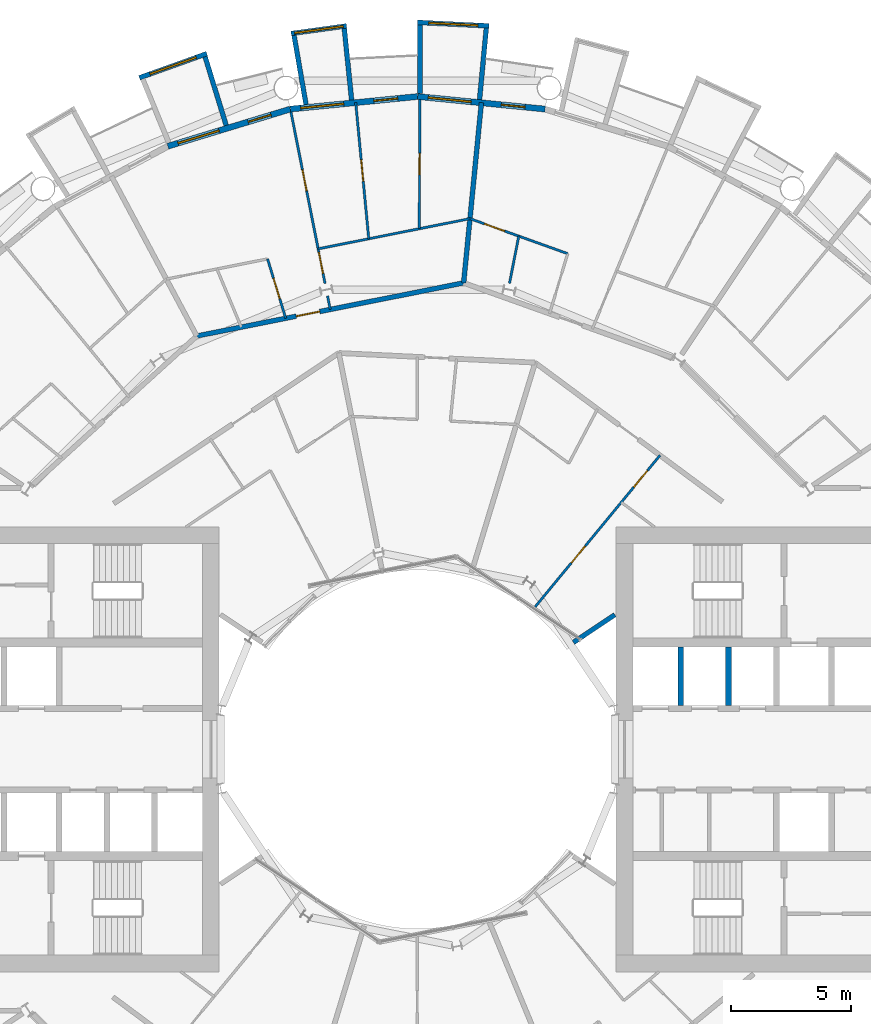
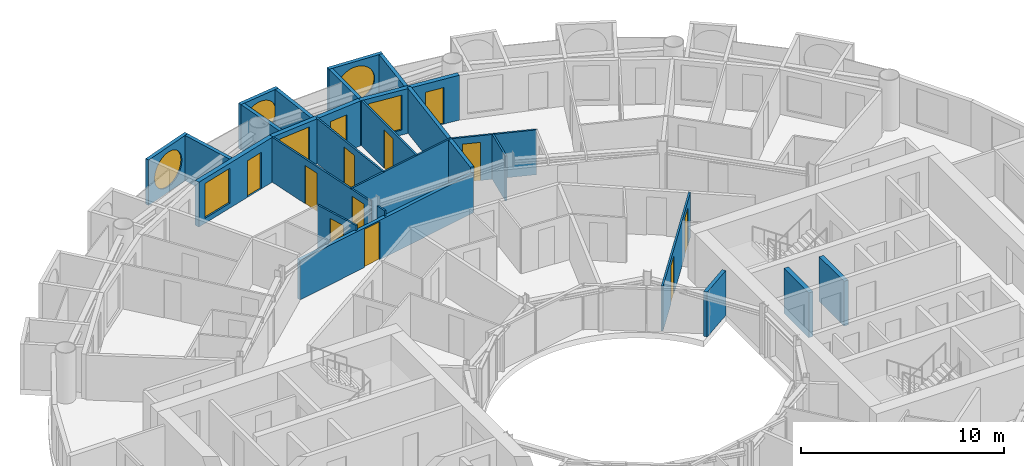
# One storey, part 20 of 26: 25 walls, 12 doors, 6 windows, 18 openings.
"""IFC4 building model written with IfcOpenShell, lengths in metres."""

import ifcopenshell
import ifcopenshell.guid

model = None  # the IFC model being written
_history = None  # IfcOwnerHistory: only IFC2X3 demands one
_inside = {}  # id of a spatial element -> (the spatial element, [elements in it])
_under = {}  # id of a project, library or spatial element -> (it, [spatial elements below it])
_declared = {}  # id of a project -> (the project, [libraries it declares])
_typed = {}  # id of a type object -> (the type object, [elements of that type])
_made_of = {}  # id of a material, layer set ... -> (it, [elements and type objects made of it])


def new_model(schema):
    """Start an empty IFC model of exactly this schema.

    Asked for "IFC4X3", IfcOpenShell would pick the latest addendum, in which some entities
    have other attributes; the version numbers below select the first issue.
    IFC2X3 requires an IfcOwnerHistory on every rooted entity: one is made here for all.
    """
    global model, _history
    if schema == "IFC4X3":
        model = ifcopenshell.file(schema_version=(4, 3, 0, 0))
    else:
        model = ifcopenshell.file(schema=schema)
    _inside.clear()
    _under.clear()
    _declared.clear()
    _typed.clear()
    _made_of.clear()
    _history = None
    if model.schema == "IFC2X3":
        org = make("IfcOrganization", Name="unknown")
        user = make(
            "IfcPersonAndOrganization",
            ThePerson=make("IfcPerson", FamilyName="unknown"),
            TheOrganization=org,
        )
        app = make(
            "IfcApplication",
            ApplicationDeveloper=org,
            Version="unknown",
            ApplicationFullName="unknown",
            ApplicationIdentifier="unknown",
        )
        _history = make(
            "IfcOwnerHistory",
            OwningUser=user,
            OwningApplication=app,
            ChangeAction="ADDED",
            CreationDate=0,
        )
    return model


def make(cls, **values):
    """One entity of the class cls with the attributes given. An attribute that is None is left unset."""
    return model.create_entity(
        cls, **{name: value for name, value in values.items() if value is not None}
    )


def rooted(cls, **values):
    """An entity with a GlobalId (a new one), such as an element, a storey or a relation."""
    return make(cls, GlobalId=ifcopenshell.guid.new(), OwnerHistory=_history, **values)


def si_unit(unit_type, name, prefix=None):
    """IfcSIUnit, for example si_unit("LENGTHUNIT", "METRE", prefix="MILLI")."""
    return make("IfcSIUnit", UnitType=unit_type, Prefix=prefix, Name=name)


def assignment(units):
    """IfcUnitAssignment: the units of a project."""
    return None if units is None else make("IfcUnitAssignment", Units=units)


def point(xyz):
    """IfcCartesianPoint."""
    return None if xyz is None else make("IfcCartesianPoint", Coordinates=xyz)


def direction(xyz):
    """IfcDirection."""
    return None if xyz is None else make("IfcDirection", DirectionRatios=xyz)


def frame(location, z_axis=None, x_axis=None):
    """IfcAxis2Placement3D, a coordinate frame: its origin and axes. An axis left out is left unset."""
    return make(
        "IfcAxis2Placement3D",
        Location=point(location),
        Axis=direction(z_axis),
        RefDirection=direction(x_axis),
    )


def frame_2d(location, x_axis=None):
    """IfcAxis2Placement2D, a coordinate frame in the plane: its origin and x axis."""
    return make(
        "IfcAxis2Placement2D", Location=point(location), RefDirection=direction(x_axis)
    )


def origin():
    """The frame at (0, 0, 0) with its axes left unset."""
    return frame((0.0, 0.0, 0.0))


def place(relative_to, where):
    """IfcLocalPlacement: puts the frame where relative to a parent placement (None: the world)."""
    return make(
        "IfcLocalPlacement", PlacementRelTo=relative_to, RelativePlacement=where
    )


def context(
    kind, dimensions, precision=None, world=None, true_north=None, identifier=None
):
    """IfcGeometricRepresentationContext, for example the 3D "Model" context."""
    return make(
        "IfcGeometricRepresentationContext",
        ContextIdentifier=identifier,
        ContextType=kind,
        CoordinateSpaceDimension=dimensions,
        Precision=precision,
        WorldCoordinateSystem=world,
        TrueNorth=true_north,
    )


def subcontext(parent, identifier, kind, view, scale=None):
    """IfcGeometricRepresentationSubContext, for example "Body" below "Model"."""
    return make(
        "IfcGeometricRepresentationSubContext",
        ContextIdentifier=identifier,
        ContextType=kind,
        ParentContext=parent,
        TargetScale=scale,
        TargetView=view,
    )


def project(units=None, contexts=None):
    """IfcProject with its units and contexts."""
    return rooted(
        "IfcProject",
        Name="project",
        RepresentationContexts=contexts,
        UnitsInContext=assignment(units),
    )


def spatial(cls, under=None, at=None, **own):
    """A site, building, storey or space (cls), placed at a placement, below another one or the project."""
    s = rooted(cls, ObjectPlacement=at, **own)
    if under is not None:
        _under.setdefault(under.id(), (under, []))[1].append(s)
    return s


def profile(cls, at=None, kind="AREA", **sizes):
    """A parametric profile (cls). Its sizes go by their IFC names, for example OverallWidth=200.0."""
    return make(cls, ProfileType=kind, Position=at, **sizes)


def rectangle(**sizes):
    """IfcRectangleProfileDef."""
    return profile("IfcRectangleProfileDef", **sizes)


def circle(**sizes):
    """IfcCircleProfileDef."""
    return profile("IfcCircleProfileDef", **sizes)


def extrude(swept, where, along, depth):
    """IfcExtrudedAreaSolid: the profile swept, set in the frame where, extruded along a direction by depth."""
    return make(
        "IfcExtrudedAreaSolid",
        SweptArea=swept,
        Position=where,
        ExtrudedDirection=direction(along),
        Depth=depth,
    )


def shape(context_of_items, identifier, shape_type, items):
    """IfcShapeRepresentation: the items that make up one representation, for example the "Body"."""
    return make(
        "IfcShapeRepresentation",
        ContextOfItems=context_of_items,
        RepresentationIdentifier=identifier,
        RepresentationType=shape_type,
        Items=items,
    )


def material(Name=None, Category=None):
    """IfcMaterial."""
    return make("IfcMaterial", Name=Name, Category=Category)


def layer(
    of_material, thickness, ventilated=None, Name=None, Category=None, Priority=None
):
    """IfcMaterialLayer: one layer of a wall or slab, of a material (None: an air gap)."""
    return make(
        "IfcMaterialLayer",
        Material=of_material,
        LayerThickness=thickness,
        IsVentilated=ventilated,
        Name=Name,
        Category=Category,
        Priority=Priority,
    )


def layer_set(layers, Name=None):
    """IfcMaterialLayerSet."""
    return make("IfcMaterialLayerSet", MaterialLayers=layers, LayerSetName=Name)


def made_of(thing, what):
    """Note that an element or type object is made of a material, layer set ...; save() writes the relation."""
    if what is not None:
        _made_of.setdefault(what.id(), (what, []))[1].append(thing)
    return thing


def type_object(cls, material=None, **own):
    """A type object (cls), such as IfcWallType, which elements share."""
    return made_of(rooted(cls, **own), material)


def element(
    cls,
    number,
    at=None,
    inside=None,
    cuts=None,
    type_object=None,
    material=None,
    context=None,
    identifier="Body",
    shape_type=None,
    held_by="IfcProductDefinitionShape",
    body=None,
    shapes=None,
    **own,
):
    """One element of the class cls, such as IfcWall. Its Tag is "e" and its number.

    at: its placement. inside: the storey or other place that contains it. cuts: it is an
    opening in that element (IfcRelVoidsElement). A single representation is given by context,
    identifier, shape_type and body (its items); several are given by shapes. held_by: the class
    of the entity that holds the representations. save() writes the other relations.
    """
    e = rooted(cls, Tag="e%d" % number, ObjectPlacement=at, **own)
    if body is not None:
        shapes = [shape(context, identifier, shape_type, body)]
    if shapes is not None:
        e.Representation = make(held_by, Representations=shapes)
    if inside is not None:
        _inside.setdefault(inside.id(), (inside, []))[1].append(e)
    if cuts is not None:
        rooted(
            "IfcRelVoidsElement", RelatingBuildingElement=cuts, RelatedOpeningElement=e
        )
    if type_object is not None:
        _typed.setdefault(type_object.id(), (type_object, []))[1].append(e)
    return made_of(e, material)


def fill(opening, filler):
    """IfcRelFillsElement: the door or window that sits in an opening."""
    return rooted(
        "IfcRelFillsElement",
        RelatingOpeningElement=opening,
        RelatedBuildingElement=filler,
    )


def aggregate(whole, parts):
    """IfcRelAggregates: a whole, such as a stair, and the parts it consists of."""
    return rooted("IfcRelAggregates", RelatingObject=whole, RelatedObjects=parts)


def save(model, path):
    """Write the relations noted so far, then the file.

    IfcRelAggregates (storeys below a building ...), IfcRelContainedInSpatialStructure (elements
    in a storey), IfcRelDefinesByType, IfcRelAssociatesMaterial and IfcRelDeclares: one each for
    every whole, place, type object, material and project.
    """
    for whole, parts in _under.values():
        aggregate(whole, parts)
    for where, things in _inside.values():
        rooted(
            "IfcRelContainedInSpatialStructure",
            RelatedElements=things,
            RelatingStructure=where,
        )
    for kind, things in _typed.values():
        rooted("IfcRelDefinesByType", RelatedObjects=things, RelatingType=kind)
    for what, things in _made_of.values():
        rooted("IfcRelAssociatesMaterial", RelatedObjects=things, RelatingMaterial=what)
    for by, libraries in _declared.values():
        rooted("IfcRelDeclares", RelatingContext=by, RelatedDefinitions=libraries)
    model.write(path)


model = new_model("IFC4")

# Units and contexts
model_context = context("Model", 3, precision=1e-05, world=origin(), true_north=direction((0.0, 1.0)))
body_context = subcontext(model_context, "Body", "Model", "MODEL_VIEW")
ifc_project = project(units=[si_unit("LENGTHUNIT", "METRE"), si_unit("AREAUNIT", "SQUARE_METRE"), si_unit("VOLUMEUNIT", "CUBIC_METRE"), si_unit("PLANEANGLEUNIT", "RADIAN"), si_unit("MASSUNIT", "GRAM", prefix="KILO")], contexts=[model_context])

# Site, building, storey
site_placement = place(None, origin())
site = spatial("IfcSite", under=ifc_project, at=site_placement, CompositionType="ELEMENT")
building_placement = place(site_placement, origin())
building = spatial("IfcBuilding", under=site, at=building_placement, Name="Maasbend Ring Residences", CompositionType="ELEMENT")
storey_placement = place(building_placement, frame((0.0, 0.0, 66.64990234375)))
storey = spatial("IfcBuildingStorey", under=building, at=storey_placement, Name="L18", CompositionType="ELEMENT", Elevation=66.64990234375)

# Wall, opening, door
ifc_material_1 = material(Name="Concrete C30/37", Category="concrete")
ifc_layer_1 = layer(ifc_material_1, 0.199951171875)
ifc_layer_set_1 = layer_set([ifc_layer_1], Name="Concrete C30/37")
wall_type_1 = type_object("IfcWallType", Name="CORRIDOR WALL 200 CONCRETE", PredefinedType="PARTITIONING", material=ifc_layer_set_1)
wall_1_placement = place(storey_placement, frame((-9.239013671875, 17.285888671875, 0.0), z_axis=(0.0, 0.0, 1.0), x_axis=(0.98077905287, 0.195121627328, 0.0)))
wall_1 = element("IfcWall", 1, at=wall_1_placement, inside=storey, type_object=wall_type_1, Name="U-L18-w104", PredefinedType="PARTITIONING", context=body_context, shape_type="SweptSolid", body=[
    extrude(rectangle(XDim=11.378662109375, YDim=0.199951171875, at=frame_2d((5.689453125, 0.0))), origin(), (0.0, 0.0, 1.0), 2.380126953125),
])
opening_1_placement = place(wall_1_placement, frame((4.240966796875, 0.0, 0.0)))
opening_1 = element("IfcOpeningElement", 2, at=opening_1_placement, cuts=wall_1, Name="Opening D-1811", PredefinedType="OPENING", context=body_context, shape_type="SweptSolid", body=[
    extrude(rectangle(XDim=1.0, YDim=2.300048828125, at=frame_2d((0.5, 1.14990234375))), frame((0.0, 0.10986328125, 0.0), z_axis=(0.0, -1.0, 0.0), x_axis=(1.0, 0.0, 0.0)), (0.0, 0.0, 1.0), 0.219970703125),
])
ifc_material_2 = material(Name="Timber, fire-rated, painted", Category="wood")
door_type_1 = type_object("IfcDoorType", Name="FLAT ENTRANCE DOOR 1000 X 2300 FIRE-RATED", OperationType="NOTDEFINED", PredefinedType="DOOR", material=ifc_material_2)
door_1_placement = place(opening_1_placement, origin())
door_1 = element("IfcDoor", 3, at=door_1_placement, inside=storey, type_object=door_type_1, Name="D-1811", OperationType="SINGLE_SWING_LEFT", OverallHeight=2.300048828125, OverallWidth=1.0, PredefinedType="DOOR", context=body_context, shape_type="SweptSolid", body=[
    extrude(rectangle(XDim=1.0, YDim=2.300048828125, at=frame_2d((0.5, 1.14990234375))), frame((0.0, 0.02490234375, 0.0), z_axis=(0.0, -1.0, 0.0), x_axis=(1.0, 0.0, 0.0)), (0.0, 0.0, 1.0), 0.050048828125),
])
fill(opening_1, door_1)

# Wall, opening, window
ifc_material_3 = material(Name="Pale anodised aluminium panel", Category="aluminium")
ifc_layer_2 = layer(ifc_material_3, 0.199951171875)
ifc_layer_set_2 = layer_set([ifc_layer_2], Name="EW-BOX")
wall_type_2 = type_object("IfcWallType", Name="EW-BOX", PredefinedType="SOLIDWALL", material=ifc_layer_set_2)
wall_2_placement = place(storey_placement, frame((2.985107421875, 30.2529296875, -0.02978515625), z_axis=(0.0, 0.0, 1.0), x_axis=(-0.998794083011, 0.049095618353, 0.0)))
wall_2 = element("IfcWall", 4, at=wall_2_placement, inside=storey, type_object=wall_type_2, Name="Box front N10", PredefinedType="SOLIDWALL", context=body_context, shape_type="SweptSolid", body=[
    extrude(rectangle(XDim=2.99365234375, YDim=0.199951171875, at=frame_2d((1.496826171875, 0.0))), origin(), (0.0, 0.0, 1.0), 2.72998046875),
])
opening_2_placement = place(wall_2_placement, frame((0.45654296875, 0.0, 0.330078125)))
opening_2 = element("IfcOpeningElement", 5, at=opening_2_placement, cuts=wall_2, Name="Opening W-RD", PredefinedType="OPENING", context=body_context, shape_type="SweptSolid", body=[
    extrude(circle(Radius=1.0400390625, at=frame_2d((1.0400390625, 1.0400390625))), frame((0.0, 0.10986328125, 0.0), z_axis=(0.0, -1.0, 0.0), x_axis=(1.0, 0.0, 0.0)), (0.0, 0.0, 1.0), 0.219970703125),
])
ifc_material_4 = material(Name="Aluminium and clear glass", Category="aluminium")
window_type_1 = type_object("IfcWindowType", Name="W-RD", PartitioningType="SINGLE_PANEL", PredefinedType="WINDOW", material=ifc_material_4)
window_1_placement = place(opening_2_placement, origin())
window_1 = element("IfcWindow", 6, at=window_1_placement, inside=storey, type_object=window_type_1, Name="Round window N10", OverallHeight=2.080078125, OverallWidth=2.080078125, PartitioningType="SINGLE_PANEL", PredefinedType="WINDOW", context=body_context, shape_type="SweptSolid", body=[
    extrude(circle(Radius=1.0400390625, at=frame_2d((1.0400390625, 1.0400390625))), frame((0.0, 0.030029296875, 0.0), z_axis=(0.0, -1.0, 0.0), x_axis=(1.0, 0.0, 0.0)), (0.0, 0.0, 1.0), 0.06005859375),
])
fill(opening_2, window_1)

# Walls
wall_3_placement = place(storey_placement, frame((2.5859375, 27.1708984375, -0.02978515625), z_axis=(0.0, 0.0, 1.0), x_axis=(0.094548432284, 0.995520262954, 0.0)))
element("IfcWall", 7, at=wall_3_placement, inside=storey, type_object=wall_type_2, Name="Box side wall N10 left", PredefinedType="SOLIDWALL", context=body_context, shape_type="SweptSolid", body=[
    extrude(rectangle(XDim=3.005615234375, YDim=0.199951171875, at=frame_2d((1.5029296875, 0.0))), origin(), (0.0, 0.0, 1.0), 2.72998046875),
])
wall_4_placement = place(storey_placement, frame((0.090087890625, 27.4169921875, -0.02978515625), z_axis=(0.0, 0.0, 1.0), x_axis=(0.00347308367, 0.999993968827, 0.0)))
element("IfcWall", 8, at=wall_4_placement, inside=storey, type_object=wall_type_2, Name="Box side wall N10 right", PredefinedType="SOLIDWALL", context=body_context, shape_type="SweptSolid", body=[
    extrude(rectangle(XDim=2.882080078125, YDim=0.199951171875, at=frame_2d((1.44091796875, 0.0))), origin(), (0.0, 0.0, 1.0), 2.72998046875),
])

# Wall, opening, window
wall_5_placement = place(storey_placement, frame((-2.97607421875, 30.25390625, -0.02978515625), z_axis=(0.0, 0.0, 1.0), x_axis=(-0.990696111261, -0.136092671119, 0.0)))
wall_5 = element("IfcWall", 9, at=wall_5_placement, inside=storey, type_object=wall_type_2, Name="Box front N12", PredefinedType="SOLIDWALL", context=body_context, shape_type="SweptSolid", body=[
    extrude(rectangle(XDim=2.335693359375, YDim=0.199951171875, at=frame_2d((1.16796875, 0.0))), origin(), (0.0, 0.0, 1.0), 2.72998046875),
])
opening_3_placement = place(wall_5_placement, frame((0.128173828125, 0.0, 0.330078125)))
opening_3 = element("IfcOpeningElement", 10, at=opening_3_placement, cuts=wall_5, Name="Opening W-RD", PredefinedType="OPENING", context=body_context, shape_type="SweptSolid", body=[
    extrude(circle(Radius=1.0400390625, at=frame_2d((1.0400390625, 1.0400390625))), frame((0.0, 0.10986328125, 0.0), z_axis=(0.0, -1.0, 0.0), x_axis=(1.0, 0.0, 0.0)), (0.0, 0.0, 1.0), 0.219970703125),
])
window_2_placement = place(opening_3_placement, origin())
window_2 = element("IfcWindow", 11, at=window_2_placement, inside=storey, type_object=window_type_1, Name="Round window N12", OverallHeight=2.080078125, OverallWidth=2.080078125, PartitioningType="SINGLE_PANEL", PredefinedType="WINDOW", context=body_context, shape_type="SweptSolid", body=[
    extrude(circle(Radius=1.0400390625, at=frame_2d((1.0400390625, 1.0400390625))), frame((0.0, 0.030029296875, 0.0), z_axis=(0.0, -1.0, 0.0), x_axis=(1.0, 0.0, 0.0)), (0.0, 0.0, 1.0), 0.06005859375),
])
fill(opening_3, window_2)

# Walls
wall_6_placement = place(storey_placement, frame((-2.763916015625, 27.153076171875, -0.02978515625), z_axis=(0.0, 0.0, 1.0), x_axis=(-0.101505487237, 0.994834979311, 0.0)))
element("IfcWall", 12, at=wall_6_placement, inside=storey, type_object=wall_type_2, Name="Box side wall N12 left", PredefinedType="SOLIDWALL", context=body_context, shape_type="SweptSolid", body=[
    extrude(rectangle(XDim=3.006591796875, YDim=0.199951171875, at=frame_2d((1.50341796875, 0.0))), origin(), (0.0, 0.0, 1.0), 2.72998046875),
])
wall_7_placement = place(storey_placement, frame((-4.6708984375, 26.966064453125, -0.02978515625), z_axis=(0.0, 0.0, 1.0), x_axis=(-0.170539878907, 0.985350774954, 0.0)))
element("IfcWall", 13, at=wall_7_placement, inside=storey, type_object=wall_type_2, Name="Box side wall N12 right", PredefinedType="SOLIDWALL", context=body_context, shape_type="SweptSolid", body=[
    extrude(rectangle(XDim=2.931884765625, YDim=0.199951171875, at=frame_2d((1.4658203125, 0.0))), origin(), (0.0, 0.0, 1.0), 2.72998046875),
])

# Wall, opening, window
wall_8_placement = place(storey_placement, frame((-8.820068359375, 29.093017578125, -0.02978515625), z_axis=(0.0, 0.0, 1.0), x_axis=(-0.941461077774, -0.337121697664, 0.0)))
wall_8 = element("IfcWall", 14, at=wall_8_placement, inside=storey, type_object=wall_type_2, Name="Box front N14", PredefinedType="SOLIDWALL", context=body_context, shape_type="SweptSolid", body=[
    extrude(rectangle(XDim=2.9931640625, YDim=0.199951171875, at=frame_2d((1.49658203125, 0.0))), origin(), (0.0, 0.0, 1.0), 2.72998046875),
])
opening_4_placement = place(wall_8_placement, frame((0.45654296875, 0.0, 0.330078125)))
opening_4 = element("IfcOpeningElement", 15, at=opening_4_placement, cuts=wall_8, Name="Opening W-RD", PredefinedType="OPENING", context=body_context, shape_type="SweptSolid", body=[
    extrude(circle(Radius=1.0400390625, at=frame_2d((1.0400390625, 1.0400390625))), frame((0.0, 0.10986328125, 0.0), z_axis=(0.0, -1.0, 0.0), x_axis=(1.0, 0.0, 0.0)), (0.0, 0.0, 1.0), 0.219970703125),
])
window_3_placement = place(opening_4_placement, origin())
window_3 = element("IfcWindow", 16, at=window_3_placement, inside=storey, type_object=window_type_1, Name="Round window N14", OverallHeight=2.080078125, OverallWidth=2.080078125, PartitioningType="SINGLE_PANEL", PredefinedType="WINDOW", context=body_context, shape_type="SweptSolid", body=[
    extrude(circle(Radius=1.0400390625, at=frame_2d((1.0400390625, 1.0400390625))), frame((0.0, 0.030029296875, 0.0), z_axis=(0.0, -1.0, 0.0), x_axis=(1.0, 0.0, 0.0)), (0.0, 0.0, 1.0), 0.06005859375),
])
fill(opening_4, window_3)

# Wall
wall_9_placement = place(storey_placement, frame((-8.009033203125, 26.092041015625, -0.02978515625), z_axis=(0.0, 0.0, 1.0), x_axis=(-0.293406695073, 0.955987715029, 0.0)))
element("IfcWall", 17, at=wall_9_placement, inside=storey, type_object=wall_type_2, Name="Box side wall N14 left", PredefinedType="SOLIDWALL", context=body_context, shape_type="SweptSolid", body=[
    extrude(rectangle(XDim=3.00634765625, YDim=0.199951171875, at=frame_2d((1.503173828125, 0.0))), origin(), (0.0, 0.0, 1.0), 2.72998046875),
])

# Wall, openings, door, window
ifc_material_5 = material(Name="Aluminium clad insulated panel", Category="aluminium")
ifc_layer_3 = layer(ifc_material_5, 0.25)
ifc_layer_set_3 = layer_set([ifc_layer_3], Name="EW-GL")
wall_type_3 = type_object("IfcWallType", Name="EW-GL", PredefinedType="SOLIDWALL", material=ifc_layer_set_3)
wall_10_placement = place(storey_placement, frame((5.325927734375, 26.77490234375, 0.0), z_axis=(0.0, 0.0, 1.0), x_axis=(-0.995173996315, 0.098126026407, 0.0)))
wall_10 = element("IfcWall", 18, at=wall_10_placement, inside=storey, type_object=wall_type_3, Name="External wall N05", PredefinedType="SOLIDWALL", context=body_context, shape_type="SweptSolid", body=[
    extrude(rectangle(XDim=5.351806640625, YDim=0.25, at=frame_2d((2.67578125, 0.0))), origin(), (0.0, 0.0, 1.0), 2.7001953125),
])
opening_5_placement = place(wall_10_placement, frame((0.841064453125, 0.0, 0.0)))
opening_5 = element("IfcOpeningElement", 19, at=opening_5_placement, cuts=wall_10, Name="Opening D-LG", PredefinedType="OPENING", context=body_context, shape_type="SweptSolid", body=[
    extrude(rectangle(XDim=1.0, YDim=2.199951171875, at=frame_2d((0.5, 1.10009765625))), frame((0.0, 0.135009765625, 0.0), z_axis=(0.0, -1.0, 0.0), x_axis=(1.0, 0.0, 0.0)), (0.0, 0.0, 1.0), 0.27001953125),
])
opening_6_placement = place(wall_10_placement, frame((3.110595703125, 0.0, 0.300048828125)))
opening_6 = element("IfcOpeningElement", 20, at=opening_6_placement, cuts=wall_10, Name="Opening W-BX", PredefinedType="OPENING", context=body_context, shape_type="SweptSolid", body=[
    extrude(rectangle(XDim=1.800048828125, YDim=2.10009765625, at=frame_2d((0.89990234375, 1.050048828125))), frame((0.0, 0.135009765625, 0.0), z_axis=(0.0, -1.0, 0.0), x_axis=(1.0, 0.0, 0.0)), (0.0, 0.0, 1.0), 0.27001953125),
])
ifc_material_6 = material(Name="Aluminium and clear glass", Category="aluminium")
door_type_2 = type_object("IfcDoorType", Name="D-LG", OperationType="SINGLE_SWING_LEFT", PredefinedType="DOOR", material=ifc_material_6)
door_2_placement = place(opening_5_placement, origin())
door_2 = element("IfcDoor", 21, at=door_2_placement, inside=storey, type_object=door_type_2, Name="Loggia door N09", OperationType="SINGLE_SWING_LEFT", OverallHeight=2.199951171875, OverallWidth=1.0, PredefinedType="DOOR", context=body_context, shape_type="SweptSolid", body=[
    extrude(rectangle(XDim=1.0, YDim=2.199951171875, at=frame_2d((0.5, 1.10009765625))), frame((0.0, 0.02490234375, 0.0), z_axis=(0.0, -1.0, 0.0), x_axis=(1.0, 0.0, 0.0)), (0.0, 0.0, 1.0), 0.050048828125),
])
fill(opening_5, door_2)
ifc_material_7 = material(Name="Aluminium and clear glass", Category="aluminium")
window_type_2 = type_object("IfcWindowType", Name="W-BX", PartitioningType="DOUBLE_PANEL_VERTICAL", PredefinedType="WINDOW", material=ifc_material_7)
window_4_placement = place(opening_6_placement, origin())
window_4 = element("IfcWindow", 22, at=window_4_placement, inside=storey, type_object=window_type_2, Name="Window N10 room to box", OverallHeight=2.10009765625, OverallWidth=1.800048828125, PartitioningType="SINGLE_PANEL", PredefinedType="WINDOW", context=body_context, shape_type="SweptSolid", body=[
    extrude(rectangle(XDim=1.800048828125, YDim=2.10009765625, at=frame_2d((0.89990234375, 1.050048828125))), frame((0.0, 0.030029296875, 0.0), z_axis=(0.0, -1.0, 0.0), x_axis=(1.0, 0.0, 0.0)), (0.0, 0.0, 1.0), 0.06005859375),
])
fill(opening_6, window_4)

wall_11_placement = place(storey_placement, frame((0.0, 27.300048828125, 0.0), z_axis=(0.0, 0.0, 1.0), x_axis=(-0.995173996315, -0.098126026407, 0.0)))
wall_11 = element("IfcWall", 23, at=wall_11_placement, inside=storey, type_object=wall_type_3, Name="External wall N06", PredefinedType="SOLIDWALL", context=body_context, shape_type="SweptSolid", body=[
    extrude(rectangle(XDim=5.351806640625, YDim=0.25, at=frame_2d((2.67578125, 0.0))), origin(), (0.0, 0.0, 1.0), 2.7001953125),
])
opening_7_placement = place(wall_11_placement, frame((0.841064453125, 0.0, 0.0)))
opening_7 = element("IfcOpeningElement", 24, at=opening_7_placement, cuts=wall_11, Name="Opening D-LG", PredefinedType="OPENING", context=body_context, shape_type="SweptSolid", body=[
    extrude(rectangle(XDim=1.0, YDim=2.199951171875, at=frame_2d((0.5, 1.10009765625))), frame((0.0, 0.135009765625, 0.0), z_axis=(0.0, -1.0, 0.0), x_axis=(1.0, 0.0, 0.0)), (0.0, 0.0, 1.0), 0.27001953125),
])
opening_8_placement = place(wall_11_placement, frame((3.110595703125, 0.0, 0.300048828125)))
opening_8 = element("IfcOpeningElement", 25, at=opening_8_placement, cuts=wall_11, Name="Opening W-BX", PredefinedType="OPENING", context=body_context, shape_type="SweptSolid", body=[
    extrude(rectangle(XDim=1.800048828125, YDim=2.10009765625, at=frame_2d((0.89990234375, 1.050048828125))), frame((0.0, 0.135009765625, 0.0), z_axis=(0.0, -1.0, 0.0), x_axis=(1.0, 0.0, 0.0)), (0.0, 0.0, 1.0), 0.27001953125),
])
door_3_placement = place(opening_7_placement, origin())
door_3 = element("IfcDoor", 26, at=door_3_placement, inside=storey, type_object=door_type_2, Name="Loggia door N11", OperationType="SINGLE_SWING_LEFT", OverallHeight=2.199951171875, OverallWidth=1.0, PredefinedType="DOOR", context=body_context, shape_type="SweptSolid", body=[
    extrude(rectangle(XDim=1.0, YDim=2.199951171875, at=frame_2d((0.5, 1.10009765625))), frame((0.0, 0.02490234375, 0.0), z_axis=(0.0, -1.0, 0.0), x_axis=(1.0, 0.0, 0.0)), (0.0, 0.0, 1.0), 0.050048828125),
])
fill(opening_7, door_3)
window_5_placement = place(opening_8_placement, origin())
window_5 = element("IfcWindow", 27, at=window_5_placement, inside=storey, type_object=window_type_2, Name="Window N12 room to box", OverallHeight=2.10009765625, OverallWidth=1.800048828125, PartitioningType="SINGLE_PANEL", PredefinedType="WINDOW", context=body_context, shape_type="SweptSolid", body=[
    extrude(rectangle(XDim=1.800048828125, YDim=2.10009765625, at=frame_2d((0.89990234375, 1.050048828125))), frame((0.0, 0.030029296875, 0.0), z_axis=(0.0, -1.0, 0.0), x_axis=(1.0, 0.0, 0.0)), (0.0, 0.0, 1.0), 0.06005859375),
])
fill(opening_8, window_5)

wall_12_placement = place(storey_placement, frame((-5.325927734375, 26.77490234375, 0.0), z_axis=(0.0, 0.0, 1.0), x_axis=(-0.956965678721, -0.290201119486, 0.0)))
wall_12 = element("IfcWall", 28, at=wall_12_placement, inside=storey, type_object=wall_type_3, Name="External wall N07", PredefinedType="SOLIDWALL", context=body_context, shape_type="SweptSolid", body=[
    extrude(rectangle(XDim=5.351318359375, YDim=0.25, at=frame_2d((2.67578125, 0.0))), origin(), (0.0, 0.0, 1.0), 2.7001953125),
])
opening_9_placement = place(wall_12_placement, frame((0.841064453125, 0.0, 0.0)))
opening_9 = element("IfcOpeningElement", 29, at=opening_9_placement, cuts=wall_12, Name="Opening D-LG", PredefinedType="OPENING", context=body_context, shape_type="SweptSolid", body=[
    extrude(rectangle(XDim=1.0, YDim=2.199951171875, at=frame_2d((0.5, 1.10009765625))), frame((0.0, 0.135009765625, 0.0), z_axis=(0.0, -1.0, 0.0), x_axis=(1.0, 0.0, 0.0)), (0.0, 0.0, 1.0), 0.27001953125),
])
opening_10_placement = place(wall_12_placement, frame((3.110595703125, 0.0, 0.300048828125)))
opening_10 = element("IfcOpeningElement", 30, at=opening_10_placement, cuts=wall_12, Name="Opening W-BX", PredefinedType="OPENING", context=body_context, shape_type="SweptSolid", body=[
    extrude(rectangle(XDim=1.800048828125, YDim=2.10009765625, at=frame_2d((0.89990234375, 1.050048828125))), frame((0.0, 0.135009765625, 0.0), z_axis=(0.0, -1.0, 0.0), x_axis=(1.0, 0.0, 0.0)), (0.0, 0.0, 1.0), 0.27001953125),
])
door_4_placement = place(opening_9_placement, origin())
door_4 = element("IfcDoor", 31, at=door_4_placement, inside=storey, type_object=door_type_2, Name="Loggia door N13", OperationType="SINGLE_SWING_LEFT", OverallHeight=2.199951171875, OverallWidth=1.0, PredefinedType="DOOR", context=body_context, shape_type="SweptSolid", body=[
    extrude(rectangle(XDim=1.0, YDim=2.199951171875, at=frame_2d((0.5, 1.10009765625))), frame((0.0, 0.02490234375, 0.0), z_axis=(0.0, -1.0, 0.0), x_axis=(1.0, 0.0, 0.0)), (0.0, 0.0, 1.0), 0.050048828125),
])
fill(opening_9, door_4)
window_6_placement = place(opening_10_placement, origin())
window_6 = element("IfcWindow", 32, at=window_6_placement, inside=storey, type_object=window_type_2, Name="Window N14 room to box", OverallHeight=2.10009765625, OverallWidth=1.800048828125, PartitioningType="SINGLE_PANEL", PredefinedType="WINDOW", context=body_context, shape_type="SweptSolid", body=[
    extrude(rectangle(XDim=1.800048828125, YDim=2.10009765625, at=frame_2d((0.89990234375, 1.050048828125))), frame((0.0, 0.030029296875, 0.0), z_axis=(0.0, -1.0, 0.0), x_axis=(1.0, 0.0, 0.0)), (0.0, 0.0, 1.0), 0.06005859375),
])
fill(opening_10, window_6)

# Wall, openings, doors
ifc_material_8 = material(Name="Gypsum board on steel studs", Category="steel")
ifc_layer_4 = layer(ifc_material_8, 0.10009765625)
ifc_layer_set_4 = layer_set([ifc_layer_4], Name="PARTITION 100 GYPSUM")
wall_type_4 = type_object("IfcWallType", Name="PARTITION 100 GYPSUM", PredefinedType="PARTITIONING", material=ifc_layer_set_4)
wall_13_placement = place(storey_placement, frame((-5.301025390625, 26.653076171875, 0.0), z_axis=(0.0, 0.0, 1.0), x_axis=(0.194986141751, -0.980805997395, 0.0)))
wall_13 = element("IfcWall", 33, at=wall_13_placement, inside=storey, type_object=wall_type_4, Name="U-L18-w050", PredefinedType="PARTITIONING", context=body_context, shape_type="SweptSolid", body=[
    extrude(rectangle(XDim=7.3134765625, YDim=0.10009765625, at=frame_2d((3.65673828125, 0.0))), origin(), (0.0, 0.0, 1.0), 2.7001953125),
])
opening_11_placement = place(wall_13_placement, frame((5.985107421875, 0.0, 0.0)))
opening_11 = element("IfcOpeningElement", 34, at=opening_11_placement, cuts=wall_13, Name="Opening D-1814", PredefinedType="OPENING", context=body_context, shape_type="SweptSolid", body=[
    extrude(rectangle(XDim=0.89990234375, YDim=2.300048828125, at=frame_2d((0.449951171875, 1.14990234375))), frame((0.0, 0.06005859375, 0.0), z_axis=(0.0, -1.0, 0.0), x_axis=(1.0, 0.0, 0.0)), (0.0, 0.0, 1.0), 0.1201171875),
])
opening_12_placement = place(wall_13_placement, frame((2.467041015625, 0.0, 0.0)))
opening_12 = element("IfcOpeningElement", 35, at=opening_12_placement, cuts=wall_13, Name="Opening D-1815", PredefinedType="OPENING", context=body_context, shape_type="SweptSolid", body=[
    extrude(rectangle(XDim=0.89990234375, YDim=2.300048828125, at=frame_2d((0.449951171875, 1.14990234375))), frame((0.0, 0.06005859375, 0.0), z_axis=(0.0, -1.0, 0.0), x_axis=(1.0, 0.0, 0.0)), (0.0, 0.0, 1.0), 0.1201171875),
])
ifc_material_9 = material(Name="Timber, painted", Category="wood")
door_type_3 = type_object("IfcDoorType", Name="INTERNAL DOOR 900 X 2300", OperationType="NOTDEFINED", PredefinedType="DOOR", material=ifc_material_9)
door_5_placement = place(opening_11_placement, origin())
door_5 = element("IfcDoor", 36, at=door_5_placement, inside=storey, type_object=door_type_3, Name="D-1814", OperationType="SINGLE_SWING_RIGHT", OverallHeight=2.300048828125, OverallWidth=0.89990234375, PredefinedType="DOOR", context=body_context, shape_type="SweptSolid", body=[
    extrude(rectangle(XDim=0.89990234375, YDim=2.300048828125, at=frame_2d((0.449951171875, 1.14990234375))), frame((0.0, 0.02490234375, 0.0), z_axis=(0.0, -1.0, 0.0), x_axis=(1.0, 0.0, 0.0)), (0.0, 0.0, 1.0), 0.050048828125),
])
fill(opening_11, door_5)
door_6_placement = place(opening_12_placement, origin())
door_6 = element("IfcDoor", 37, at=door_6_placement, inside=storey, type_object=door_type_3, Name="D-1815", OperationType="SINGLE_SWING_LEFT", OverallHeight=2.300048828125, OverallWidth=0.89990234375, PredefinedType="DOOR", context=body_context, shape_type="SweptSolid", body=[
    extrude(rectangle(XDim=0.89990234375, YDim=2.300048828125, at=frame_2d((0.449951171875, 1.14990234375))), frame((0.0, 0.02490234375, 0.0), z_axis=(0.0, -1.0, 0.0), x_axis=(1.0, 0.0, 0.0)), (0.0, 0.0, 1.0), 0.050048828125),
])
fill(opening_12, door_6)

# Wall
wall_14_placement = place(storey_placement, frame((-3.77197265625, 18.966064453125, 0.0), z_axis=(0.0, 0.0, 1.0), x_axis=(0.194500150765, -0.980902488198, 0.0)))
element("IfcWall", 38, at=wall_14_placement, inside=storey, type_object=wall_type_4, Name="U-L18-w052", PredefinedType="PARTITIONING", context=body_context, shape_type="SweptSolid", body=[
    extrude(rectangle(XDim=0.5810546875, YDim=0.10009765625, at=frame_2d((0.29052734375, 0.0))), origin(), (0.0, 0.0, 1.0), 2.7001953125),
])

# Wall, opening, door
wall_15_placement = place(storey_placement, frame((-2.593017578125, 27.051025390625, 0.0), z_axis=(0.0, 0.0, 1.0), x_axis=(0.095336244636, -0.995445126794, 0.0)))
wall_15 = element("IfcWall", 39, at=wall_15_placement, inside=storey, type_object=wall_type_4, Name="U-L18-w055", PredefinedType="PARTITIONING", context=body_context, shape_type="SweptSolid", body=[
    extrude(rectangle(XDim=5.72607421875, YDim=0.10009765625, at=frame_2d((2.863037109375, 0.0))), origin(), (0.0, 0.0, 1.0), 2.7001953125),
])
opening_13_placement = place(wall_15_placement, frame((2.4130859375, 0.0, 0.0)))
opening_13 = element("IfcOpeningElement", 40, at=opening_13_placement, cuts=wall_15, Name="Opening D-1816", PredefinedType="OPENING", context=body_context, shape_type="SweptSolid", body=[
    extrude(rectangle(XDim=0.89990234375, YDim=2.300048828125, at=frame_2d((0.449951171875, 1.14990234375))), frame((0.0, 0.06005859375, 0.0), z_axis=(0.0, -1.0, 0.0), x_axis=(1.0, 0.0, 0.0)), (0.0, 0.0, 1.0), 0.1201171875),
])
door_7_placement = place(opening_13_placement, origin())
door_7 = element("IfcDoor", 41, at=door_7_placement, inside=storey, type_object=door_type_3, Name="D-1816", OperationType="SINGLE_SWING_LEFT", OverallHeight=2.300048828125, OverallWidth=0.89990234375, PredefinedType="DOOR", context=body_context, shape_type="SweptSolid", body=[
    extrude(rectangle(XDim=0.89990234375, YDim=2.300048828125, at=frame_2d((0.449951171875, 1.14990234375))), frame((0.0, 0.02490234375, 0.0), z_axis=(0.0, -1.0, 0.0), x_axis=(1.0, 0.0, 0.0)), (0.0, 0.0, 1.0), 0.050048828125),
])
fill(opening_13, door_7)

wall_16_placement = place(storey_placement, frame((0.069091796875, 21.77197265625, 0.0), z_axis=(0.0, 0.0, 1.0), x_axis=(0.003298522564, 0.99999455986, 0.0)))
wall_16 = element("IfcWall", 42, at=wall_16_placement, inside=storey, type_object=wall_type_4, Name="U-L18-w061", PredefinedType="PARTITIONING", context=body_context, shape_type="SweptSolid", body=[
    extrude(rectangle(XDim=5.403076171875, YDim=0.10009765625, at=frame_2d((2.70166015625, 0.0))), origin(), (0.0, 0.0, 1.0), 2.7001953125),
])
opening_14_placement = place(wall_16_placement, frame((2.251953125, 0.0, 0.0)))
opening_14 = element("IfcOpeningElement", 43, at=opening_14_placement, cuts=wall_16, Name="Opening D-1817", PredefinedType="OPENING", context=body_context, shape_type="SweptSolid", body=[
    extrude(rectangle(XDim=0.89990234375, YDim=2.300048828125, at=frame_2d((0.449951171875, 1.14990234375))), frame((0.0, 0.06005859375, 0.0), z_axis=(0.0, -1.0, 0.0), x_axis=(1.0, 0.0, 0.0)), (0.0, 0.0, 1.0), 0.1201171875),
])
door_8_placement = place(opening_14_placement, origin())
door_8 = element("IfcDoor", 44, at=door_8_placement, inside=storey, type_object=door_type_3, Name="D-1817", OperationType="SINGLE_SWING_LEFT", OverallHeight=2.300048828125, OverallWidth=0.89990234375, PredefinedType="DOOR", context=body_context, shape_type="SweptSolid", body=[
    extrude(rectangle(XDim=0.89990234375, YDim=2.300048828125, at=frame_2d((0.449951171875, 1.14990234375))), frame((0.0, 0.02490234375, 0.0), z_axis=(0.0, -1.0, 0.0), x_axis=(1.0, 0.0, 0.0)), (0.0, 0.0, 1.0), 0.050048828125),
])
fill(opening_14, door_8)

# Wall
wall_17_placement = place(storey_placement, frame((3.837890625, 19.488037109375, 0.0), z_axis=(0.0, 0.0, 1.0), x_axis=(0.192964397841, 0.981205758832, 0.0)))
element("IfcWall", 45, at=wall_17_placement, inside=storey, type_object=wall_type_4, Name="U-L18-w067", PredefinedType="PARTITIONING", context=body_context, shape_type="SweptSolid", body=[
    extrude(rectangle(XDim=2.01171875, YDim=0.10009765625, at=frame_2d((1.005859375, 0.0))), origin(), (0.0, 0.0, 1.0), 2.7001953125),
])

# Wall, openings, doors
wall_18_placement = place(storey_placement, frame((4.908935546875, 5.9580078125, 0.0), z_axis=(0.0, 0.0, 1.0), x_axis=(0.635976043025, 0.771708800454, 0.0)))
wall_18 = element("IfcWall", 46, at=wall_18_placement, inside=storey, type_object=wall_type_4, Name="U-L18-w070", PredefinedType="PARTITIONING", context=body_context, shape_type="SweptSolid", body=[
    extrude(rectangle(XDim=8.212890625, YDim=0.10009765625, at=frame_2d((4.1064453125, 0.0))), origin(), (0.0, 0.0, 1.0), 2.7001953125),
])
opening_15_placement = place(wall_18_placement, frame((6.489990234375, 0.0, 0.0)))
opening_15 = element("IfcOpeningElement", 47, at=opening_15_placement, cuts=wall_18, Name="Opening D-1826", PredefinedType="OPENING", context=body_context, shape_type="SweptSolid", body=[
    extrude(rectangle(XDim=0.89990234375, YDim=2.300048828125, at=frame_2d((0.449951171875, 1.14990234375))), frame((0.0, 0.06005859375, 0.0), z_axis=(0.0, -1.0, 0.0), x_axis=(1.0, 0.0, 0.0)), (0.0, 0.0, 1.0), 0.1201171875),
])
opening_16_placement = place(wall_18_placement, frame((2.384033203125, 0.0, 0.0)))
opening_16 = element("IfcOpeningElement", 48, at=opening_16_placement, cuts=wall_18, Name="Opening D-1827", PredefinedType="OPENING", context=body_context, shape_type="SweptSolid", body=[
    extrude(rectangle(XDim=0.89990234375, YDim=2.300048828125, at=frame_2d((0.449951171875, 1.14990234375))), frame((0.0, 0.06005859375, 0.0), z_axis=(0.0, -1.0, 0.0), x_axis=(1.0, 0.0, 0.0)), (0.0, 0.0, 1.0), 0.1201171875),
])
door_9_placement = place(opening_15_placement, origin())
door_9 = element("IfcDoor", 49, at=door_9_placement, inside=storey, type_object=door_type_3, Name="D-1826", OperationType="SINGLE_SWING_RIGHT", OverallHeight=2.300048828125, OverallWidth=0.89990234375, PredefinedType="DOOR", context=body_context, shape_type="SweptSolid", body=[
    extrude(rectangle(XDim=0.89990234375, YDim=2.300048828125, at=frame_2d((0.449951171875, 1.14990234375))), frame((0.0, 0.02490234375, 0.0), z_axis=(0.0, -1.0, 0.0), x_axis=(1.0, 0.0, 0.0)), (0.0, 0.0, 1.0), 0.050048828125),
])
fill(opening_15, door_9)
door_10_placement = place(opening_16_placement, origin())
door_10 = element("IfcDoor", 50, at=door_10_placement, inside=storey, type_object=door_type_3, Name="D-1827", OperationType="SINGLE_SWING_LEFT", OverallHeight=2.300048828125, OverallWidth=0.89990234375, PredefinedType="DOOR", context=body_context, shape_type="SweptSolid", body=[
    extrude(rectangle(XDim=0.89990234375, YDim=2.300048828125, at=frame_2d((0.449951171875, 1.14990234375))), frame((0.0, 0.02490234375, 0.0), z_axis=(0.0, -1.0, 0.0), x_axis=(1.0, 0.0, 0.0)), (0.0, 0.0, 1.0), 0.050048828125),
])
fill(opening_16, door_10)

# Wall, opening, door
wall_19_placement = place(storey_placement, frame((-6.280029296875, 20.509033203125, 0.0), z_axis=(0.0, 0.0, 1.0), x_axis=(0.293008940941, -0.956109701095, 0.0)))
wall_19 = element("IfcWall", 51, at=wall_19_placement, inside=storey, type_object=wall_type_4, Name="U-L18-w090", PredefinedType="PARTITIONING", context=body_context, shape_type="SweptSolid", body=[
    extrude(rectangle(XDim=2.59716796875, YDim=0.10009765625, at=frame_2d((1.298583984375, 0.0))), origin(), (0.0, 0.0, 1.0), 2.7001953125),
])
opening_17_placement = place(wall_19_placement, frame((0.84912109375, 0.0, 0.0)))
opening_17 = element("IfcOpeningElement", 52, at=opening_17_placement, cuts=wall_19, Name="Opening D-1813", PredefinedType="OPENING", context=body_context, shape_type="SweptSolid", body=[
    extrude(rectangle(XDim=0.89990234375, YDim=2.300048828125, at=frame_2d((0.449951171875, 1.14990234375))), frame((0.0, 0.06005859375, 0.0), z_axis=(0.0, -1.0, 0.0), x_axis=(1.0, 0.0, 0.0)), (0.0, 0.0, 1.0), 0.1201171875),
])
door_11_placement = place(opening_17_placement, origin())
door_11 = element("IfcDoor", 53, at=door_11_placement, inside=storey, type_object=door_type_3, Name="D-1813", OperationType="SINGLE_SWING_LEFT", OverallHeight=2.300048828125, OverallWidth=0.89990234375, PredefinedType="DOOR", context=body_context, shape_type="SweptSolid", body=[
    extrude(rectangle(XDim=0.89990234375, YDim=2.300048828125, at=frame_2d((0.449951171875, 1.14990234375))), frame((0.0, 0.02490234375, 0.0), z_axis=(0.0, -1.0, 0.0), x_axis=(1.0, 0.0, 0.0)), (0.0, 0.0, 1.0), 0.050048828125),
])
fill(opening_17, door_11)

# Wall
wall_20_placement = place(storey_placement, frame((-4.1630859375, 20.929931640625, 0.0), z_axis=(0.0, 0.0, 1.0), x_axis=(0.98077745026, 0.195129682675, 0.0)))
element("IfcWall", 54, at=wall_20_placement, inside=storey, type_object=wall_type_4, Name="U-L18-w109", PredefinedType="PARTITIONING", context=body_context, shape_type="SweptSolid", body=[
    extrude(rectangle(XDim=6.4736328125, YDim=0.10009765625, at=frame_2d((3.23681640625, 0.0))), origin(), (0.0, 0.0, 1.0), 2.7001953125),
])

# Wall, opening, door
wall_21_placement = place(storey_placement, frame((2.18603515625, 22.193115234375, 0.0), z_axis=(0.0, 0.0, 1.0), x_axis=(0.941413199806, -0.337255373909, 0.0)))
wall_21 = element("IfcWall", 55, at=wall_21_placement, inside=storey, type_object=wall_type_4, Name="U-L18-w112", PredefinedType="PARTITIONING", context=body_context, shape_type="SweptSolid", body=[
    extrude(rectangle(XDim=4.34130859375, YDim=0.10009765625, at=frame_2d((2.170654296875, 0.0))), origin(), (0.0, 0.0, 1.0), 2.7001953125),
])
opening_18_placement = place(wall_21_placement, frame((0.636962890625, 0.0, 0.0)))
opening_18 = element("IfcOpeningElement", 56, at=opening_18_placement, cuts=wall_21, Name="Opening D-1806", PredefinedType="OPENING", context=body_context, shape_type="SweptSolid", body=[
    extrude(rectangle(XDim=0.89990234375, YDim=2.300048828125, at=frame_2d((0.449951171875, 1.14990234375))), frame((0.0, 0.06005859375, 0.0), z_axis=(0.0, -1.0, 0.0), x_axis=(1.0, 0.0, 0.0)), (0.0, 0.0, 1.0), 0.1201171875),
])
door_12_placement = place(opening_18_placement, origin())
door_12 = element("IfcDoor", 57, at=door_12_placement, inside=storey, type_object=door_type_3, Name="D-1806", OperationType="SINGLE_SWING_LEFT", OverallHeight=2.300048828125, OverallWidth=0.89990234375, PredefinedType="DOOR", context=body_context, shape_type="SweptSolid", body=[
    extrude(rectangle(XDim=0.89990234375, YDim=2.300048828125, at=frame_2d((0.449951171875, 1.14990234375))), frame((0.0, 0.02490234375, 0.0), z_axis=(0.0, -1.0, 0.0), x_axis=(1.0, 0.0, 0.0)), (0.0, 0.0, 1.0), 0.050048828125),
])
fill(opening_18, door_12)

# Walls
ifc_material_10 = material(Name="Concrete C30/37", Category="concrete")
ifc_layer_5 = layer(ifc_material_10, 0.199951171875)
ifc_layer_set_5 = layer_set([ifc_layer_5], Name="Concrete C30/37")
wall_type_5 = type_object("IfcWallType", Name="PARTY WALL 200 CONCRETE", PredefinedType="PARTITIONING", material=ifc_layer_set_5)
wall_22_placement = place(storey_placement, frame((1.9208984375, 19.506103515625, 0.0), z_axis=(0.0, 0.0, 1.0), x_axis=(0.098115395479, 0.995175044487, 0.0)))
element("IfcWall", 58, at=wall_22_placement, inside=storey, type_object=wall_type_5, Name="U-L18-w063", PredefinedType="PARTITIONING", context=body_context, shape_type="SweptSolid", body=[
    extrude(rectangle(XDim=7.574462890625, YDim=0.199951171875, at=frame_2d((3.787109375, 0.0))), origin(), (0.0, 0.0, 1.0), 2.7001953125),
])
wall_23_placement = place(storey_placement, frame((6.512939453125, 4.471923828125, 0.0), z_axis=(0.0, 0.0, 1.0), x_axis=(0.831382204863, 0.555701025225, 0.0)))
element("IfcWall", 59, at=wall_23_placement, inside=storey, type_object=wall_type_5, Name="U-L18-w092", PredefinedType="PARTITIONING", context=body_context, shape_type="SweptSolid", body=[
    extrude(rectangle(XDim=2.08203125, YDim=0.199951171875, at=frame_2d((1.041015625, 0.0))), origin(), (0.0, 0.0, 1.0), 2.7001953125),
])
ifc_material_11 = material(Name="Concrete C30/37", Category="concrete")
ifc_layer_6 = layer(ifc_material_11, 0.25)
ifc_layer_set_6 = layer_set([ifc_layer_6], Name="Concrete C30/37")
wall_type_6 = type_object("IfcWallType", Name="SHAFT WALL 250 EI 120", PredefinedType="SOLIDWALL", material=ifc_layer_set_6)
for number, where, z_axis, x_axis, name in (
    (60, (11.0, 1.824951171875, 0.0), (0.0, 0.0, 1.0), (0.0, 1.0, 0.0), "L18 core E wall D110N"),
    (61, (13.0, 1.824951171875, 0.0), (0.0, 0.0, 1.0), (0.0, 1.0, 0.0), "L18 core E wall D130N"),
):
    element("IfcWall", number, at=place(storey_placement, frame(where, z_axis=z_axis, x_axis=x_axis)), inside=storey, type_object=wall_type_6, Name=name, PredefinedType="SOLIDWALL", context=body_context, shape_type="SweptSolid", body=[
        extrude(rectangle(XDim=2.449951171875, YDim=0.25, at=frame_2d((1.22509765625, 0.0))), origin(), (0.0, 0.0, 1.0), 2.7001953125),
    ])

save(model, "model.ifc")
